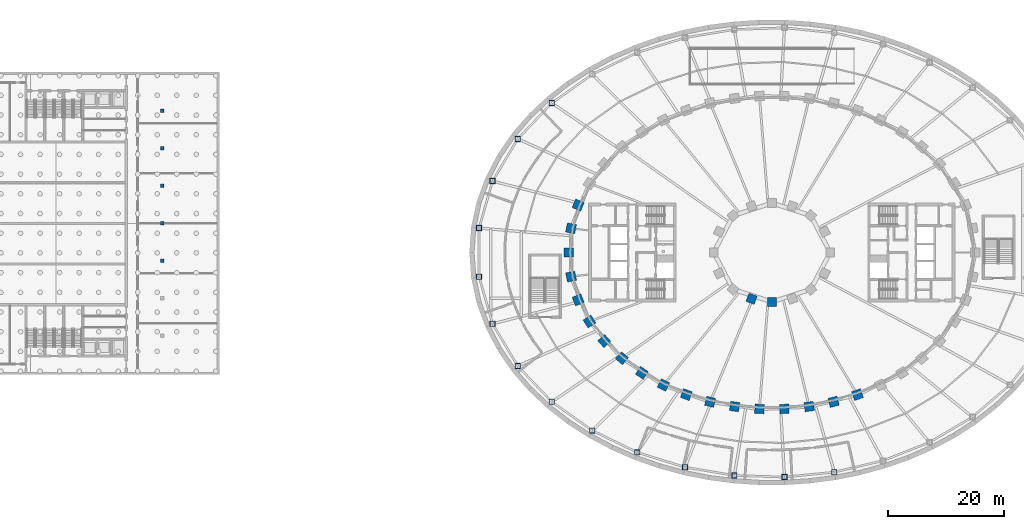
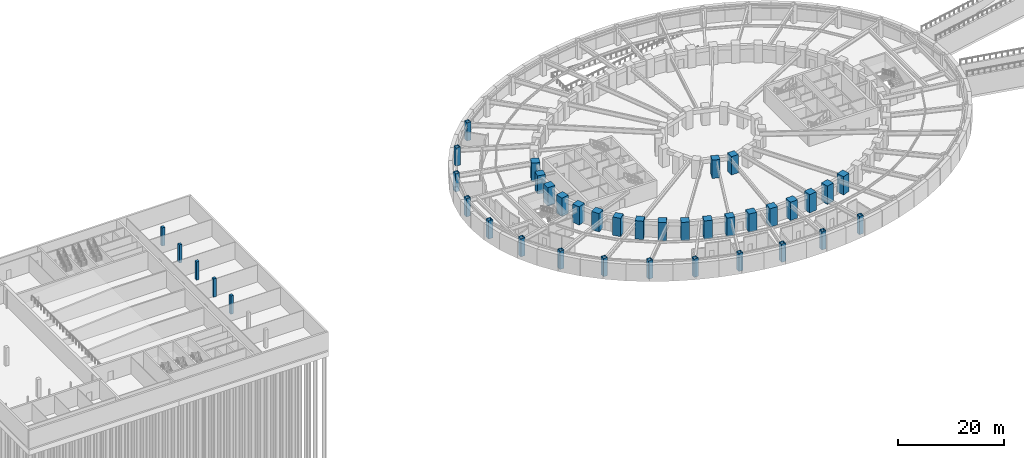
# One storey, part 6 of 32: 39 columns.
"""IFC4 building model written with IfcOpenShell, lengths in metres."""

from ifc_helpers import new_model, si_unit, direction, frame, origin, origin_2d, place, context, subcontext, project, spatial, rectangle, hollow_rectangle, extrude, material, material_profile, profile_set, type_object, element, save


model = new_model("IFC4")

# Units and contexts
model_context = context("Model", 3, precision=1e-05, world=origin(), true_north=direction((0.0, 1.0)))
body_context = subcontext(model_context, "Body", "Model", "MODEL_VIEW")
ifc_project = project(units=[si_unit("LENGTHUNIT", "METRE"), si_unit("AREAUNIT", "SQUARE_METRE"), si_unit("VOLUMEUNIT", "CUBIC_METRE"), si_unit("PLANEANGLEUNIT", "RADIAN"), si_unit("MASSUNIT", "GRAM", prefix="KILO")], contexts=[model_context])

# Site, building, storey
site_placement = place(None, origin())
site = spatial("IfcSite", under=ifc_project, at=site_placement, CompositionType="ELEMENT")
building_placement = place(site_placement, origin())
building = spatial("IfcBuilding", under=site, at=building_placement, Name="Noorbagh Ring Tower", CompositionType="ELEMENT")
storey_placement = place(building_placement, frame((0.0, 0.0, -4.199951171875)))
storey = spatial("IfcBuildingStorey", under=building, at=storey_placement, Name="B1", CompositionType="ELEMENT", Elevation=-4.199951171875)

# Columns
ifc_material_1 = material(Name="Steel S355", Category="steel")
ifc_material_profile_1 = material_profile(ifc_material_1, hollow_rectangle(XDim=0.89990234375, YDim=0.89990234375, WallThickness=0.044921875, at=origin_2d()), Name="BOX900x900x45")
ifc_profile_set_1 = profile_set([ifc_material_profile_1], Name="Steel S355")
column_type_1 = type_object("IfcColumnType", Name="GND-COL-BOX900x900x45", PredefinedType="COLUMN", material=ifc_profile_set_1)
for number, where, z_axis, x_axis, name in (
    (1, (-37.8330078125, 25.679931640625, 0.0), (0.0, 0.0, 1.0), (1.0, 0.0, 0.0), "B1/col/RP-14"),
    (2, (-43.6962890625, 19.52490234375, 0.0), (0.0, 0.0, 1.0), (1.0, 0.0, 0.0), "B1/col/RP-15"),
    (3, (-48.0224609375, 12.266845703125, 0.0), (0.0, 0.0, 1.0), (1.0, 0.0, 0.0), "B1/col/RP-16"),
    (4, (-50.34716796875, 4.191650390625, 0.0), (0.0, 0.0, 1.0), (1.0, 0.0, 0.0), "B1/col/RP-17"),
    (5, (-50.34716796875, -4.191650390625, 0.0), (0.0, 0.0, 1.0), (1.0, 0.0, 0.0), "B1/col/RP-18"),
    (6, (-48.0224609375, -12.266845703125, 0.0), (0.0, 0.0, 1.0), (1.0, 0.0, 0.0), "B1/col/RP-19"),
    (7, (-43.6962890625, -19.52490234375, 0.0), (0.0, 0.0, 1.0), (1.0, 0.0, 0.0), "B1/col/RP-20"),
    (8, (-37.8330078125, -25.679931640625, 0.0), (0.0, 0.0, 1.0), (1.0, 0.0, 0.0), "B1/col/RP-21"),
    (9, (-30.869384765625, -30.629150390625, 0.0), (0.0, 0.0, 1.0), (1.0, 0.0, 0.0), "B1/col/RP-22"),
    (10, (-23.152587890625, -34.36767578125, 0.0), (0.0, 0.0, 1.0), (1.0, 0.0, 0.0), "B1/col/RP-23"),
    (11, (-14.946044921875, -36.925048828125, 0.0), (0.0, 0.0, 1.0), (1.0, 0.0, 0.0), "B1/col/RP-24"),
    (12, (-6.4541015625, -38.33349609375, 0.0), (0.0, 0.0, 1.0), (1.0, 0.0, 0.0), "B1/col/RP-25"),
    (13, (2.154541015625, -38.6142578125, 0.0), (0.0, 0.0, 1.0), (1.0, 0.0, 0.0), "B1/col/RP-26"),
    (14, (10.724609375, -37.771240234375, 0.0), (0.0, 0.0, 1.0), (1.0, 0.0, 0.0), "B1/col/RP-27"),
):
    element("IfcColumn", number, at=place(storey_placement, frame(where, z_axis=z_axis, x_axis=x_axis)), inside=storey, type_object=column_type_1, Name=name, PredefinedType="COLUMN", context=body_context, shape_type="SweptSolid", body=[
        extrude(hollow_rectangle(XDim=0.89990234375, YDim=0.89990234375, WallThickness=0.044921875, at=origin_2d()), origin(), (0.0, 0.0, 1.0), 4.199951171875),
    ])
ifc_material_2 = material(Name="Concrete C70/85", Category="concrete")
ifc_material_profile_2 = material_profile(ifc_material_2, rectangle(XDim=1.60009765625, YDim=1.60009765625, at=origin_2d()), Name="RC1600x1600")
ifc_profile_set_2 = profile_set([ifc_material_profile_2], Name="Concrete C70/85")
column_type_2 = type_object("IfcColumnType", Name="STR-COL-RC1600x1600-C70-85", PredefinedType="COLUMN", material=ifc_profile_set_2)
for number, where, z_axis, x_axis, name in (
    (15, (-33.30517578125, 8.1494140625, 0.0), (0.0, 0.0, 1.0), (-0.378989499959, -0.925400971969, 0.0), "B1/col/R1-22"),
    (16, (-34.52685546875, 4.150634765625, 0.0), (0.0, 0.0, 1.0), (-0.19723040178, -0.9803571638, 0.0), "B1/col/R1-23"),
    (17, (-34.944580078125, 0.0, 0.0), (0.0, 0.0, 1.0), (0.0, -1.0, 0.0), "B1/col/R1-24"),
    (18, (-34.52685546875, -4.150634765625, 0.0), (0.0, 0.0, 1.0), (0.19723040178, -0.9803571638, 0.0), "B1/col/R1-25"),
    (19, (-33.30517578125, -8.1494140625, 0.0), (0.0, 0.0, 1.0), (0.378989499959, -0.925400971969, 0.0), "B1/col/R1-26"),
    (20, (-31.364990234375, -11.87109375, 0.0), (0.0, 0.0, 1.0), (0.535190403059, -0.844731455833, 0.0), "B1/col/R1-27"),
    (21, (-28.81884765625, -15.23046875, 0.0), (0.0, 0.0, 1.0), (0.662635642662, -0.748941923699, 0.0), "B1/col/R1-28"),
    (22, (-25.78271484375, -18.180419921875, 0.0), (0.0, 0.0, 1.0), (0.763035199656, -0.646356932419, 0.0), "B1/col/R1-29"),
    (23, (-22.362060546875, -20.699951171875, 0.0), (0.0, 0.0, 1.0), (0.840247639643, -0.542202825586, 0.0), "B1/col/R1-30"),
    (24, (-18.646240234375, -22.785400390625, 0.0), (0.0, 0.0, 1.0), (0.898399080868, -0.439180021741, 0.0), "B1/col/R1-31"),
    (25, (-14.70947265625, -24.44091796875, 0.0), (0.0, 0.0, 1.0), (0.941024726094, -0.338337797003, 0.0), "B1/col/R1-32"),
    (26, (-10.61328125, -25.673583984375, 0.0), (0.0, 0.0, 1.0), (0.970829360981, -0.239771457553, 0.0), "B1/col/R1-33"),
    (27, (-6.4091796875, -26.49072265625, 0.0), (0.0, 0.0, 1.0), (0.989713114048, -0.143066249975, 0.0), "B1/col/R1-34"),
    (28, (-2.14306640625, -26.89794921875, 0.0), (0.0, 0.0, 1.0), (0.998868731212, -0.047552684538, 0.0), "B1/col/R1-35"),
    (29, (2.14306640625, -26.89794921875, 0.0), (0.0, 0.0, 1.0), (0.998868731212, 0.047552684538, 0.0), "B1/col/R1-36"),
    (30, (6.4091796875, -26.49072265625, 0.0), (0.0, 0.0, 1.0), (0.989713114048, 0.143066249975, 0.0), "B1/col/R1-37"),
    (31, (10.61328125, -25.673583984375, 0.0), (0.0, 0.0, 1.0), (0.970829360981, 0.239771457553, 0.0), "B1/col/R1-38"),
    (32, (14.70947265625, -24.44091796875, 0.0), (0.0, 0.0, 1.0), (0.941024726094, 0.338337797003, 0.0), "B1/col/R1-39"),
):
    element("IfcColumn", number, at=place(storey_placement, frame(where, z_axis=z_axis, x_axis=x_axis)), inside=storey, type_object=column_type_2, Name=name, PredefinedType="COLUMN", context=body_context, shape_type="SweptSolid", body=[
        extrude(rectangle(XDim=1.60009765625, YDim=1.60009765625, at=origin_2d()), origin(), (0.0, 0.0, 1.0), 4.199951171875),
    ])
ifc_material_3 = material(Name="Concrete C70/85", Category="concrete")
ifc_material_profile_3 = material_profile(ifc_material_3, rectangle(XDim=1.5, YDim=1.5, at=origin_2d()), Name="RC1500x1500")
ifc_profile_set_3 = profile_set([ifc_material_profile_3], Name="Concrete C70/85")
column_type_3 = type_object("IfcColumnType", Name="STR-ICOL-RC1500x1500-C70-85", PredefinedType="COLUMN", material=ifc_profile_set_3)
for number, where, z_axis, x_axis, name in (
    (33, (-3.5009765625, -7.967041015625, 0.0), (0.0, 0.0, 1.0), (0.939019578916, -0.343863679984, 0.0), "B1/col/IR2-W23"),
    (34, (0.0, -8.5029296875, 0.0), (0.0, 0.0, 1.0), (1.0, 0.0, 0.0), "B1/col/IR2-W25"),
):
    element("IfcColumn", number, at=place(storey_placement, frame(where, z_axis=z_axis, x_axis=x_axis)), inside=storey, type_object=column_type_3, Name=name, PredefinedType="COLUMN", context=body_context, shape_type="SweptSolid", body=[
        extrude(rectangle(XDim=1.5, YDim=1.5, at=origin_2d()), origin(), (0.0, 0.0, 1.0), 4.199951171875),
    ])
ifc_material_4 = material(Name="Concrete C50/60", Category="concrete")
ifc_material_profile_4 = material_profile(ifc_material_4, rectangle(XDim=0.60009765625, YDim=0.60009765625, at=origin_2d()), Name="RC600x600")
ifc_profile_set_4 = profile_set([ifc_material_profile_4], Name="Concrete C50/60")
column_type_4 = type_object("IfcColumnType", Name="TH-COL-FOYER", PredefinedType="COLUMN", material=ifc_profile_set_4)
for number, where, z_axis, x_axis, name in (
    (35, (-104.800048828125, -1.449951171875, 0.0), (0.0, 0.0, 1.0), (1.0, 0.0, 0.0), "B1/th-col/foyer-3"),
    (36, (-104.800048828125, 5.0, 0.0), (0.0, 0.0, 1.0), (1.0, 0.0, 0.0), "B1/th-col/foyer-4"),
    (37, (-104.800048828125, 11.449951171875, 0.0), (0.0, 0.0, 1.0), (1.0, 0.0, 0.0), "B1/th-col/foyer-5"),
    (38, (-104.800048828125, 17.89990234375, 0.0), (0.0, 0.0, 1.0), (1.0, 0.0, 0.0), "B1/th-col/foyer-6"),
    (39, (-104.800048828125, 24.35009765625, 0.0), (0.0, 0.0, 1.0), (1.0, 0.0, 0.0), "B1/th-col/foyer-7"),
):
    element("IfcColumn", number, at=place(storey_placement, frame(where, z_axis=z_axis, x_axis=x_axis)), inside=storey, type_object=column_type_4, Name=name, PredefinedType="COLUMN", context=body_context, shape_type="SweptSolid", body=[
        extrude(rectangle(XDim=0.60009765625, YDim=0.60009765625, at=origin_2d()), origin(), (0.0, 0.0, 1.0), 4.199951171875),
    ])

save(model, "model.ifc")
